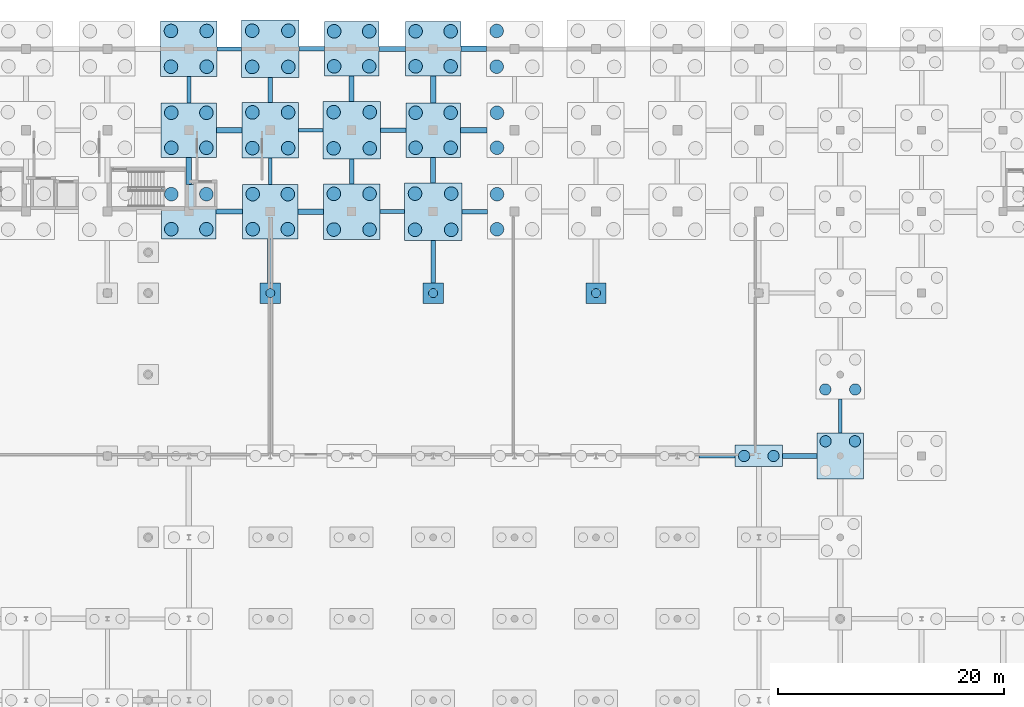
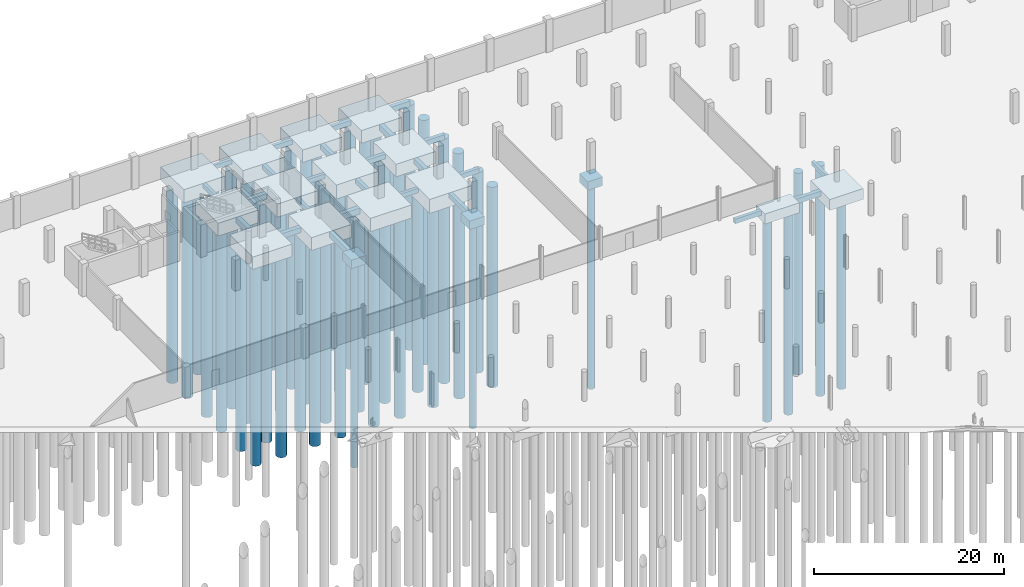
# One storey, part 10 of 56: 63 piles, 42 footings.
"""IFC4 building model written with IfcOpenShell, lengths in metres."""

from ifc_helpers import new_model, si_unit, direction, frame, origin, origin_2d, place, context, subcontext, project, spatial, rectangle, circle, extrude, material, material_profile, profile_set, type_object, element, save


model = new_model("IFC4")

# Units and contexts
model_context = context("Model", 3, precision=1e-05, world=origin(), true_north=direction((0.0, 1.0)))
body_context = subcontext(model_context, "Body", "Model", "MODEL_VIEW")
ifc_project = project(units=[si_unit("LENGTHUNIT", "METRE"), si_unit("AREAUNIT", "SQUARE_METRE"), si_unit("VOLUMEUNIT", "CUBIC_METRE"), si_unit("PLANEANGLEUNIT", "RADIAN"), si_unit("MASSUNIT", "GRAM", prefix="KILO")], contexts=[model_context])

# Site, building, storey
site_placement = place(None, origin())
site = spatial("IfcSite", under=ifc_project, at=site_placement, CompositionType="ELEMENT")
building_placement = place(site_placement, origin())
building = spatial("IfcBuilding", under=site, at=building_placement, Name="Suanplinth Sawtooth Commons", CompositionType="ELEMENT")
storey_placement = place(building_placement, frame((0.0, 0.0, -4.199951171875)))
storey = spatial("IfcBuildingStorey", under=building, at=storey_placement, Name="B1", CompositionType="ELEMENT", Elevation=-4.199951171875)

# Footings
ifc_material_1 = material(Name="Concrete C35/45", Category="concrete")
ifc_material_profile_1 = material_profile(ifc_material_1, rectangle(XDim=0.449951171875, YDim=0.64990234375, at=origin_2d()), Name="PC-GDR 450x650")
ifc_profile_set_1 = profile_set([ifc_material_profile_1], Name="Concrete C35/45")
footing_type_1 = type_object("IfcFootingType", Name="FB-01", PredefinedType="FOOTING_BEAM", material=ifc_profile_set_1)
footing_1_placement = place(storey_placement, frame((67.199951171875, 108.0, -0.824951171875), z_axis=(1.0, 0.0, 0.0), x_axis=(0.0, 1.0, 0.0)))
element("IfcFooting", 1, at=footing_1_placement, inside=storey, type_object=footing_type_1, Name="Foundation Tie Beam 10-11/R", PredefinedType="FOOTING_BEAM", context=body_context, shape_type="SweptSolid", body=[
    extrude(rectangle(XDim=0.449951171875, YDim=0.64990234375, at=origin_2d()), origin(), (0.0, 0.0, 1.0), 2.35009765625),
])
footing_2_placement = place(storey_placement, frame((79.199951171875, 117.75, -0.824951171875), z_axis=(0.0, 1.0, 0.0), x_axis=(-1.0, 0.0, 0.0)))
element("IfcFooting", 2, at=footing_2_placement, inside=storey, type_object=footing_type_1, Name="Foundation Tie Beam 12/S-T", PredefinedType="FOOTING_BEAM", context=body_context, shape_type="SweptSolid", body=[
    extrude(rectangle(XDim=0.449951171875, YDim=0.64990234375, at=origin_2d()), origin(), (0.0, 0.0, 1.0), 2.25),
])
footing_3_placement = place(storey_placement, frame((81.60009765625, 122.39990234375, -0.824951171875), z_axis=(1.0, 0.0, 0.0), x_axis=(0.0, 1.0, 0.0)))
element("IfcFooting", 3, at=footing_3_placement, inside=storey, type_object=footing_type_1, Name="Foundation Tie Beam 12-13/T", PredefinedType="FOOTING_BEAM", context=body_context, shape_type="SweptSolid", body=[
    extrude(rectangle(XDim=0.449951171875, YDim=0.64990234375, at=origin_2d()), origin(), (0.0, 0.0, 1.0), 2.349853515625),
])
footing_4_placement = place(storey_placement, frame((86.39990234375, 110.550048828125, -0.824951171875), z_axis=(0.0, 1.0, 0.0), x_axis=(-1.0, 0.0, 0.0)))
element("IfcFooting", 4, at=footing_4_placement, inside=storey, type_object=footing_type_1, Name="Foundation Tie Beam 13/R-S", PredefinedType="FOOTING_BEAM", context=body_context, shape_type="SweptSolid", body=[
    extrude(rectangle(XDim=0.449951171875, YDim=0.64990234375, at=origin_2d()), origin(), (0.0, 0.0, 1.0), 2.25),
])
footing_5_placement = place(storey_placement, frame((88.800048828125, 115.199951171875, -0.824951171875), z_axis=(1.0, 0.0, 0.0), x_axis=(0.0, 1.0, 0.0)))
element("IfcFooting", 5, at=footing_5_placement, inside=storey, type_object=footing_type_1, Name="Foundation Tie Beam 13-14/S", PredefinedType="FOOTING_BEAM", context=body_context, shape_type="SweptSolid", body=[
    extrude(rectangle(XDim=0.449951171875, YDim=0.64990234375, at=origin_2d()), origin(), (0.0, 0.0, 1.0), 2.349853515625),
])
footing_6_placement = place(storey_placement, frame((117.300048828125, 86.39990234375, -0.824951171875), z_axis=(1.0, 0.0, 0.0), x_axis=(0.0, 1.0, 0.0)))
element("IfcFooting", 6, at=footing_6_placement, inside=storey, type_object=footing_type_1, Name="Foundation Tie Beam 17-18/N", PredefinedType="FOOTING_BEAM", context=body_context, shape_type="SweptSolid", body=[
    extrude(rectangle(XDim=0.449951171875, YDim=0.64990234375, at=origin_2d()), origin(), (0.0, 0.0, 1.0), 3.050048828125),
])
ifc_material_profile_2 = material_profile(ifc_material_1, rectangle(XDim=0.5, YDim=0.75, at=origin_2d()), Name="RC-GDR 500x750")
ifc_profile_set_2 = profile_set([ifc_material_profile_2], Name="Concrete C35/45")
footing_type_2 = type_object("IfcFootingType", Name="FB-02", PredefinedType="FOOTING_BEAM", material=ifc_profile_set_2)
footing_7_placement = place(storey_placement, frame((64.800048828125, 110.39990234375, -0.875), z_axis=(0.0, 1.0, 0.0), x_axis=(-1.0, 0.0, 0.0)))
element("IfcFooting", 7, at=footing_7_placement, inside=storey, type_object=footing_type_2, Name="Foundation Tie Beam 10/R-S", PredefinedType="FOOTING_BEAM", context=body_context, shape_type="SweptSolid", body=[
    extrude(rectangle(XDim=0.5, YDim=0.75, at=origin_2d()), origin(), (0.0, 0.0, 1.0), 2.400146484375),
])
footing_8_placement = place(storey_placement, frame((67.25, 115.199951171875, -0.875), z_axis=(1.0, 0.0, 0.0), x_axis=(0.0, 1.0, 0.0)))
element("IfcFooting", 8, at=footing_8_placement, inside=storey, type_object=footing_type_2, Name="Foundation Tie Beam 10-11/S", PredefinedType="FOOTING_BEAM", context=body_context, shape_type="SweptSolid", body=[
    extrude(rectangle(XDim=0.5, YDim=0.75, at=origin_2d()), origin(), (0.0, 0.0, 1.0), 2.25),
])
footing_9_placement = place(storey_placement, frame((72.0, 101.699951171875, -0.875), z_axis=(0.0, 1.0, 0.0), x_axis=(-1.0, 0.0, 0.0)))
element("IfcFooting", 9, at=footing_9_placement, inside=storey, type_object=footing_type_2, Name="Foundation Tie Beam 11/Q-R", PredefinedType="FOOTING_BEAM", context=body_context, shape_type="SweptSolid", body=[
    extrude(rectangle(XDim=0.5, YDim=0.75, at=origin_2d()), origin(), (0.0, 0.0, 1.0), 3.900146484375),
])
footing_10_placement = place(storey_placement, frame((74.449951171875, 108.0, -0.875), z_axis=(1.0, 0.0, 0.0), x_axis=(0.0, 1.0, 0.0)))
element("IfcFooting", 10, at=footing_10_placement, inside=storey, type_object=footing_type_2, Name="Foundation Tie Beam 11-12/R", PredefinedType="FOOTING_BEAM", context=body_context, shape_type="SweptSolid", body=[
    extrude(rectangle(XDim=0.5, YDim=0.75, at=origin_2d()), origin(), (0.0, 0.0, 1.0), 2.25),
])
footing_11_placement = place(storey_placement, frame((86.39990234375, 117.60009765625, -0.875), z_axis=(0.0, 1.0, 0.0), x_axis=(-1.0, 0.0, 0.0)))
element("IfcFooting", 11, at=footing_11_placement, inside=storey, type_object=footing_type_2, Name="Foundation Tie Beam 13/S-T", PredefinedType="FOOTING_BEAM", context=body_context, shape_type="SweptSolid", body=[
    extrude(rectangle(XDim=0.5, YDim=0.75, at=origin_2d()), origin(), (0.0, 0.0, 1.0), 2.39990234375),
])
footing_12_placement = place(storey_placement, frame((88.85009765625, 122.39990234375, -0.875), z_axis=(1.0, 0.0, 0.0), x_axis=(0.0, 1.0, 0.0)))
element("IfcFooting", 12, at=footing_12_placement, inside=storey, type_object=footing_type_2, Name="Foundation Tie Beam 13-14/T", PredefinedType="FOOTING_BEAM", context=body_context, shape_type="SweptSolid", body=[
    extrude(rectangle(XDim=0.5, YDim=0.75, at=origin_2d()), origin(), (0.0, 0.0, 1.0), 2.25),
])
ifc_material_profile_3 = material_profile(ifc_material_1, rectangle(XDim=0.35009765625, YDim=0.550048828125, at=origin_2d()), Name="PC-BM 350x550")
ifc_profile_set_3 = profile_set([ifc_material_profile_3], Name="Concrete C35/45")
footing_type_3 = type_object("IfcFootingType", Name="FB-03", PredefinedType="FOOTING_BEAM", material=ifc_profile_set_3)
footing_13_placement = place(storey_placement, frame((64.800048828125, 117.60009765625, -0.775146484375), z_axis=(0.0, 1.0, 0.0), x_axis=(-1.0, 0.0, 0.0)))
element("IfcFooting", 13, at=footing_13_placement, inside=storey, type_object=footing_type_3, Name="Foundation Tie Beam 10/S-T", PredefinedType="FOOTING_BEAM", context=body_context, shape_type="SweptSolid", body=[
    extrude(rectangle(XDim=0.35009765625, YDim=0.550048828125, at=origin_2d()), origin(), (0.0, 0.0, 1.0), 2.349853515625),
])
footing_14_placement = place(storey_placement, frame((67.300048828125, 122.39990234375, -0.775146484375), z_axis=(1.0, 0.0, 0.0), x_axis=(0.0, 1.0, 0.0)))
element("IfcFooting", 14, at=footing_14_placement, inside=storey, type_object=footing_type_3, Name="Foundation Tie Beam 10-11/T", PredefinedType="FOOTING_BEAM", context=body_context, shape_type="SweptSolid", body=[
    extrude(rectangle(XDim=0.35009765625, YDim=0.550048828125, at=origin_2d()), origin(), (0.0, 0.0, 1.0), 2.14990234375),
])
footing_15_placement = place(storey_placement, frame((72.0, 110.39990234375, -0.775146484375), z_axis=(0.0, 1.0, 0.0), x_axis=(-1.0, 0.0, 0.0)))
element("IfcFooting", 15, at=footing_15_placement, inside=storey, type_object=footing_type_3, Name="Foundation Tie Beam 11/R-S", PredefinedType="FOOTING_BEAM", context=body_context, shape_type="SweptSolid", body=[
    extrude(rectangle(XDim=0.35009765625, YDim=0.550048828125, at=origin_2d()), origin(), (0.0, 0.0, 1.0), 2.35009765625),
])
footing_16_placement = place(storey_placement, frame((74.5, 115.199951171875, -0.775146484375), z_axis=(1.0, 0.0, 0.0), x_axis=(0.0, 1.0, 0.0)))
element("IfcFooting", 16, at=footing_16_placement, inside=storey, type_object=footing_type_3, Name="Foundation Tie Beam 11-12/S", PredefinedType="FOOTING_BEAM", context=body_context, shape_type="SweptSolid", body=[
    extrude(rectangle(XDim=0.35009765625, YDim=0.550048828125, at=origin_2d()), origin(), (0.0, 0.0, 1.0), 2.14990234375),
])
footing_17_placement = place(storey_placement, frame((81.699951171875, 108.0, -0.775146484375), z_axis=(1.0, 0.0, 0.0), x_axis=(0.0, 1.0, 0.0)))
element("IfcFooting", 17, at=footing_17_placement, inside=storey, type_object=footing_type_3, Name="Foundation Tie Beam 12-13/R", PredefinedType="FOOTING_BEAM", context=body_context, shape_type="SweptSolid", body=[
    extrude(rectangle(XDim=0.35009765625, YDim=0.550048828125, at=origin_2d()), origin(), (0.0, 0.0, 1.0), 2.150146484375),
])
footing_18_placement = place(storey_placement, frame((122.39990234375, 88.449951171875, -0.775146484375), z_axis=(0.0, 1.0, 0.0), x_axis=(-1.0, 0.0, 0.0)))
element("IfcFooting", 18, at=footing_18_placement, inside=storey, type_object=footing_type_3, Name="Foundation Tie Beam 18/N-P", PredefinedType="FOOTING_BEAM", context=body_context, shape_type="SweptSolid", body=[
    extrude(rectangle(XDim=0.35009765625, YDim=0.550048828125, at=origin_2d()), origin(), (0.0, 0.0, 1.0), 3.0),
])
ifc_material_profile_4 = material_profile(ifc_material_1, rectangle(XDim=0.39990234375, YDim=0.60009765625, at=origin_2d()), Name="PC-GDR 400x600")
ifc_profile_set_4 = profile_set([ifc_material_profile_4], Name="Concrete C35/45")
footing_type_4 = type_object("IfcFootingType", Name="FB-04", PredefinedType="FOOTING_BEAM", material=ifc_profile_set_4)
footing_19_placement = place(storey_placement, frame((72.0, 117.64990234375, -0.800048828125), z_axis=(0.0, 1.0, 0.0), x_axis=(-1.0, 0.0, 0.0)))
element("IfcFooting", 19, at=footing_19_placement, inside=storey, type_object=footing_type_4, Name="Foundation Tie Beam 11/S-T", PredefinedType="FOOTING_BEAM", context=body_context, shape_type="SweptSolid", body=[
    extrude(rectangle(XDim=0.39990234375, YDim=0.60009765625, at=origin_2d()), origin(), (0.0, 0.0, 1.0), 2.2001953125),
])
footing_20_placement = place(storey_placement, frame((74.550048828125, 122.39990234375, -0.800048828125), z_axis=(1.0, 0.0, 0.0), x_axis=(0.0, 1.0, 0.0)))
element("IfcFooting", 20, at=footing_20_placement, inside=storey, type_object=footing_type_4, Name="Foundation Tie Beam 11-12/T", PredefinedType="FOOTING_BEAM", context=body_context, shape_type="SweptSolid", body=[
    extrude(rectangle(XDim=0.39990234375, YDim=0.60009765625, at=origin_2d()), origin(), (0.0, 0.0, 1.0), 2.25),
])
footing_21_placement = place(storey_placement, frame((79.199951171875, 110.449951171875, -0.800048828125), z_axis=(0.0, 1.0, 0.0), x_axis=(-1.0, 0.0, 0.0)))
element("IfcFooting", 21, at=footing_21_placement, inside=storey, type_object=footing_type_4, Name="Foundation Tie Beam 12/R-S", PredefinedType="FOOTING_BEAM", context=body_context, shape_type="SweptSolid", body=[
    extrude(rectangle(XDim=0.39990234375, YDim=0.60009765625, at=origin_2d()), origin(), (0.0, 0.0, 1.0), 2.199951171875),
])
footing_22_placement = place(storey_placement, frame((81.75, 115.199951171875, -0.800048828125), z_axis=(1.0, 0.0, 0.0), x_axis=(0.0, 1.0, 0.0)))
element("IfcFooting", 22, at=footing_22_placement, inside=storey, type_object=footing_type_4, Name="Foundation Tie Beam 12-13/S", PredefinedType="FOOTING_BEAM", context=body_context, shape_type="SweptSolid", body=[
    extrude(rectangle(XDim=0.39990234375, YDim=0.60009765625, at=origin_2d()), origin(), (0.0, 0.0, 1.0), 2.25),
])
footing_23_placement = place(storey_placement, frame((86.39990234375, 101.699951171875, -0.800048828125), z_axis=(0.0, 1.0, 0.0), x_axis=(-1.0, 0.0, 0.0)))
element("IfcFooting", 23, at=footing_23_placement, inside=storey, type_object=footing_type_4, Name="Foundation Tie Beam 13/Q-R", PredefinedType="FOOTING_BEAM", context=body_context, shape_type="SweptSolid", body=[
    extrude(rectangle(XDim=0.39990234375, YDim=0.60009765625, at=origin_2d()), origin(), (0.0, 0.0, 1.0), 3.75),
])
footing_24_placement = place(storey_placement, frame((88.949951171875, 108.0, -0.800048828125), z_axis=(1.0, 0.0, 0.0), x_axis=(0.0, 1.0, 0.0)))
element("IfcFooting", 24, at=footing_24_placement, inside=storey, type_object=footing_type_4, Name="Foundation Tie Beam 13-14/R", PredefinedType="FOOTING_BEAM", context=body_context, shape_type="SweptSolid", body=[
    extrude(rectangle(XDim=0.39990234375, YDim=0.60009765625, at=origin_2d()), origin(), (0.0, 0.0, 1.0), 2.25),
])
footing_25_placement = place(storey_placement, frame((109.89990234375, 86.39990234375, -0.800048828125), z_axis=(1.0, 0.0, 0.0), x_axis=(0.0, 1.0, 0.0)))
element("IfcFooting", 25, at=footing_25_placement, inside=storey, type_object=footing_type_4, Name="Foundation Tie Beam 16-17/N", PredefinedType="FOOTING_BEAM", context=body_context, shape_type="SweptSolid", body=[
    extrude(rectangle(XDim=0.39990234375, YDim=0.60009765625, at=origin_2d()), origin(), (0.0, 0.0, 1.0), 3.2001953125),
])
footing_type_5 = type_object("IfcFootingType", Name="FC-01", PredefinedType="PILE_CAP", material=ifc_material_1)
for number, where, z_axis, x_axis, name in (
    (26, (72.0, 100.800048828125, -1.60009765625), (0.0, 0.0, 1.0), (1.0, 0.0, 0.0), "Pile Cap 11/Q"),
    (27, (86.39990234375, 100.800048828125, -1.60009765625), (0.0, 0.0, 1.0), (1.0, 0.0, 0.0), "Pile Cap 13/Q"),
    (28, (100.800048828125, 100.800048828125, -1.60009765625), (0.0, 0.0, 1.0), (1.0, 0.0, 0.0), "Pile Cap 15/Q"),
):
    element("IfcFooting", number, at=place(storey_placement, frame(where, z_axis=z_axis, x_axis=x_axis)), inside=storey, type_object=footing_type_5, Name=name, PredefinedType="PILE_CAP", context=body_context, shape_type="SweptSolid", body=[
        extrude(rectangle(XDim=1.800048828125, YDim=1.800048828125, at=origin_2d()), origin(), (0.0, 0.0, 1.0), 1.10009765625),
    ])
footing_type_6 = type_object("IfcFootingType", Name="FC-04", PredefinedType="PILE_CAP", material=ifc_material_1)
footing_26_placement = place(storey_placement, frame((115.199951171875, 86.39990234375, -1.80029296875), z_axis=(0.0, 0.0, 1.0), x_axis=(1.0, 0.0, 0.0)))
element("IfcFooting", 29, at=footing_26_placement, inside=storey, type_object=footing_type_6, Name="Pile Cap 17/N", PredefinedType="PILE_CAP", context=body_context, shape_type="SweptSolid", body=[
    extrude(rectangle(XDim=4.199951171875, YDim=1.89990234375, at=origin_2d()), origin(), (0.0, 0.0, 1.0), 1.300048828125),
])
footing_type_7 = type_object("IfcFootingType", Name="FC-07", PredefinedType="PILE_CAP", material=ifc_material_1)
footing_27_placement = place(storey_placement, frame((122.39990234375, 86.39990234375, -1.89990234375), z_axis=(0.0, 0.0, 1.0), x_axis=(1.0, 0.0, 0.0)))
element("IfcFooting", 30, at=footing_27_placement, inside=storey, type_object=footing_type_7, Name="Pile Cap 18/N", PredefinedType="PILE_CAP", context=body_context, shape_type="SweptSolid", body=[
    extrude(rectangle(XDim=4.10009765625, YDim=4.10009765625, at=origin_2d()), origin(), (0.0, 0.0, 1.0), 1.39990234375),
])
footing_type_8 = type_object("IfcFootingType", Name="FC-11", PredefinedType="PILE_CAP", material=ifc_material_1)
for number, where, z_axis, x_axis, name in (
    (31, (64.800048828125, 108.0, -2.10009765625), (0.0, 0.0, 1.0), (1.0, 0.0, 0.0), "Pile Cap 10/R"),
    (32, (79.199951171875, 122.39990234375, -2.10009765625), (0.0, 0.0, 1.0), (1.0, 0.0, 0.0), "Pile Cap 12/T"),
    (33, (86.39990234375, 115.199951171875, -2.10009765625), (0.0, 0.0, 1.0), (1.0, 0.0, 0.0), "Pile Cap 13/S"),
):
    element("IfcFooting", number, at=place(storey_placement, frame(where, z_axis=z_axis, x_axis=x_axis)), inside=storey, type_object=footing_type_8, Name=name, PredefinedType="PILE_CAP", context=body_context, shape_type="SweptSolid", body=[
        extrude(rectangle(XDim=4.800048828125, YDim=4.800048828125, at=origin_2d()), origin(), (0.0, 0.0, 1.0), 1.60009765625),
    ])
footing_type_9 = type_object("IfcFootingType", Name="FC-12", PredefinedType="PILE_CAP", material=ifc_material_1)
for number, where, z_axis, x_axis, name in (
    (34, (64.800048828125, 115.199951171875, -2.14990234375), (0.0, 0.0, 1.0), (1.0, 0.0, 0.0), "Pile Cap 10/S"),
    (35, (72.0, 108.0, -2.14990234375), (0.0, 0.0, 1.0), (1.0, 0.0, 0.0), "Pile Cap 11/R"),
    (36, (86.39990234375, 122.39990234375, -2.14990234375), (0.0, 0.0, 1.0), (1.0, 0.0, 0.0), "Pile Cap 13/T"),
):
    element("IfcFooting", number, at=place(storey_placement, frame(where, z_axis=z_axis, x_axis=x_axis)), inside=storey, type_object=footing_type_9, Name=name, PredefinedType="PILE_CAP", context=body_context, shape_type="SweptSolid", body=[
        extrude(rectangle(XDim=4.89990234375, YDim=4.800048828125, at=origin_2d()), origin(), (0.0, 0.0, 1.0), 1.64990234375),
    ])
footing_type_10 = type_object("IfcFootingType", Name="FC-13", PredefinedType="PILE_CAP", material=ifc_material_1)
for number, where, z_axis, x_axis, name in (
    (37, (64.800048828125, 122.39990234375, -2.2001953125), (0.0, 0.0, 1.0), (1.0, 0.0, 0.0), "Pile Cap 10/T"),
    (38, (72.0, 115.199951171875, -2.2001953125), (0.0, 0.0, 1.0), (1.0, 0.0, 0.0), "Pile Cap 11/S"),
    (39, (79.199951171875, 108.0, -2.2001953125), (0.0, 0.0, 1.0), (1.0, 0.0, 0.0), "Pile Cap 12/R"),
):
    element("IfcFooting", number, at=place(storey_placement, frame(where, z_axis=z_axis, x_axis=x_axis)), inside=storey, type_object=footing_type_10, Name=name, PredefinedType="PILE_CAP", context=body_context, shape_type="SweptSolid", body=[
        extrude(rectangle(XDim=5.0, YDim=4.89990234375, at=origin_2d()), origin(), (0.0, 0.0, 1.0), 1.699951171875),
    ])
footing_type_11 = type_object("IfcFootingType", Name="FC-14", PredefinedType="PILE_CAP", material=ifc_material_1)
for number, where, z_axis, x_axis, name in (
    (40, (72.0, 122.39990234375, -2.30029296875), (0.0, 0.0, 1.0), (1.0, 0.0, 0.0), "Pile Cap 11/T"),
    (41, (79.199951171875, 115.199951171875, -2.30029296875), (0.0, 0.0, 1.0), (1.0, 0.0, 0.0), "Pile Cap 12/S"),
    (42, (86.39990234375, 108.0, -2.30029296875), (0.0, 0.0, 1.0), (1.0, 0.0, 0.0), "Pile Cap 13/R"),
):
    element("IfcFooting", number, at=place(storey_placement, frame(where, z_axis=z_axis, x_axis=x_axis)), inside=storey, type_object=footing_type_11, Name=name, PredefinedType="PILE_CAP", context=body_context, shape_type="SweptSolid", body=[
        extrude(rectangle(XDim=5.10009765625, YDim=5.10009765625, at=origin_2d()), origin(), (0.0, 0.0, 1.0), 1.800048828125),
    ])

# Piles
ifc_material_2 = material(Name="Concrete C32/40", Category="concrete")
ifc_material_profile_5 = material_profile(ifc_material_2, circle(Radius=0.39990234375, at=origin_2d()), Name="PILE D800")
ifc_profile_set_5 = profile_set([ifc_material_profile_5], Name="Concrete C32/40")
pile_type_1 = type_object("IfcPileType", Name="P-01", PredefinedType="BORED", material=ifc_profile_set_5)
for number, where, z_axis, x_axis, name in (
    (43, (72.0, 100.800048828125, -1.5), (0.0, 0.0, -1.0), (1.0, 0.0, 0.0), "Bored Pile 11/Q-1"),
    (44, (86.39990234375, 100.800048828125, -1.5), (0.0, 0.0, -1.0), (1.0, 0.0, 0.0), "Bored Pile 13/Q-1"),
    (45, (100.800048828125, 100.800048828125, -1.5), (0.0, 0.0, -1.0), (1.0, 0.0, 0.0), "Bored Pile 15/Q-1"),
):
    element("IfcPile", number, at=place(storey_placement, frame(where, z_axis=z_axis, x_axis=x_axis)), inside=storey, type_object=pile_type_1, Name=name, PredefinedType="BORED", context=body_context, shape_type="SweptSolid", body=[
        extrude(circle(Radius=0.39990234375, at=origin_2d()), origin(), (0.0, 0.0, 1.0), 26.300048828125),
    ])
ifc_material_profile_6 = material_profile(ifc_material_2, circle(Radius=0.5, at=origin_2d()), Name="PILE D1000")
ifc_profile_set_6 = profile_set([ifc_material_profile_6], Name="Concrete C32/40")
pile_type_2 = type_object("IfcPileType", Name="P-02", PredefinedType="BORED", material=ifc_profile_set_6)
for number, where, z_axis, x_axis, name in (
    (46, (113.89990234375, 86.39990234375, -1.699951171875), (0.0, 0.0, -1.0), (1.0, 0.0, 0.0), "Bored Pile 17/N-1"),
    (47, (116.5, 86.39990234375, -1.699951171875), (0.0, 0.0, -1.0), (1.0, 0.0, 0.0), "Bored Pile 17/N-2"),
):
    element("IfcPile", number, at=place(storey_placement, frame(where, z_axis=z_axis, x_axis=x_axis)), inside=storey, type_object=pile_type_2, Name=name, PredefinedType="BORED", context=body_context, shape_type="SweptSolid", body=[
        extrude(circle(Radius=0.5, at=origin_2d()), origin(), (0.0, 0.0, 1.0), 26.10009765625),
    ])
for number, where, z_axis, x_axis, name in (
    (48, (121.10009765625, 87.699951171875, -1.800048828125), (0.0, 0.0, -1.0), (1.0, 0.0, 0.0), "Bored Pile 18/N-3"),
    (49, (123.699951171875, 87.699951171875, -1.800048828125), (0.0, 0.0, -1.0), (1.0, 0.0, 0.0), "Bored Pile 18/N-4"),
):
    element("IfcPile", number, at=place(storey_placement, frame(where, z_axis=z_axis, x_axis=x_axis)), inside=storey, type_object=pile_type_2, Name=name, PredefinedType="BORED", context=body_context, shape_type="SweptSolid", body=[
        extrude(circle(Radius=0.5, at=origin_2d()), origin(), (0.0, 0.0, 1.0), 26.0),
    ])
for number, where, z_axis, x_axis, name in (
    (50, (121.080078125, 92.280029296875, -1.85009765625), (0.0, 0.0, -1.0), (1.0, 0.0, 0.0), "Bored Pile 18/P-1"),
    (51, (123.719970703125, 92.280029296875, -1.85009765625), (0.0, 0.0, -1.0), (1.0, 0.0, 0.0), "Bored Pile 18/P-2"),
):
    element("IfcPile", number, at=place(storey_placement, frame(where, z_axis=z_axis, x_axis=x_axis)), inside=storey, type_object=pile_type_2, Name=name, PredefinedType="BORED", context=body_context, shape_type="SweptSolid", body=[
        extrude(circle(Radius=0.5, at=origin_2d()), origin(), (0.0, 0.0, 1.0), 25.949951171875),
    ])
ifc_material_profile_7 = material_profile(ifc_material_2, circle(Radius=0.60009765625, at=origin_2d()), Name="PILE D1200")
ifc_profile_set_7 = profile_set([ifc_material_profile_7], Name="Concrete C32/40")
pile_type_3 = type_object("IfcPileType", Name="P-03", PredefinedType="BORED", material=ifc_profile_set_7)
for number, where, z_axis, x_axis, name in (
    (52, (63.25, 106.449951171875, -2.0), (0.0, 0.0, -1.0), (1.0, 0.0, 0.0), "Bored Pile 10/R-1"),
    (53, (66.35009765625, 106.449951171875, -2.0), (0.0, 0.0, -1.0), (1.0, 0.0, 0.0), "Bored Pile 10/R-2"),
    (54, (63.25, 109.550048828125, -2.0), (0.0, 0.0, -1.0), (1.0, 0.0, 0.0), "Bored Pile 10/R-3"),
    (55, (66.35009765625, 109.550048828125, -2.0), (0.0, 0.0, -1.0), (1.0, 0.0, 0.0), "Bored Pile 10/R-4"),
):
    element("IfcPile", number, at=place(storey_placement, frame(where, z_axis=z_axis, x_axis=x_axis)), inside=storey, type_object=pile_type_3, Name=name, PredefinedType="BORED", context=body_context, shape_type="SweptSolid", body=[
        extrude(circle(Radius=0.60009765625, at=origin_2d()), origin(), (0.0, 0.0, 1.0), 25.800048828125),
    ])
for number, where, z_axis, x_axis, name in (
    (56, (63.25, 113.64990234375, -2.050048828125), (0.0, 0.0, -1.0), (1.0, 0.0, 0.0), "Bored Pile 10/S-1"),
    (57, (66.35009765625, 113.64990234375, -2.050048828125), (0.0, 0.0, -1.0), (1.0, 0.0, 0.0), "Bored Pile 10/S-2"),
    (58, (63.25, 116.75, -2.050048828125), (0.0, 0.0, -1.0), (1.0, 0.0, 0.0), "Bored Pile 10/S-3"),
    (59, (66.35009765625, 116.75, -2.050048828125), (0.0, 0.0, -1.0), (1.0, 0.0, 0.0), "Bored Pile 10/S-4"),
):
    element("IfcPile", number, at=place(storey_placement, frame(where, z_axis=z_axis, x_axis=x_axis)), inside=storey, type_object=pile_type_3, Name=name, PredefinedType="BORED", context=body_context, shape_type="SweptSolid", body=[
        extrude(circle(Radius=0.60009765625, at=origin_2d()), origin(), (0.0, 0.0, 1.0), 25.75),
    ])
for number, where, z_axis, x_axis, name in (
    (60, (63.219970703125, 120.820068359375, -2.10009765625), (0.0, 0.0, -1.0), (1.0, 0.0, 0.0), "Bored Pile 10/T-1"),
    (61, (66.3798828125, 120.820068359375, -2.10009765625), (0.0, 0.0, -1.0), (1.0, 0.0, 0.0), "Bored Pile 10/T-2"),
    (62, (63.219970703125, 123.97998046875, -2.10009765625), (0.0, 0.0, -1.0), (1.0, 0.0, 0.0), "Bored Pile 10/T-3"),
    (63, (66.3798828125, 123.97998046875, -2.10009765625), (0.0, 0.0, -1.0), (1.0, 0.0, 0.0), "Bored Pile 10/T-4"),
):
    element("IfcPile", number, at=place(storey_placement, frame(where, z_axis=z_axis, x_axis=x_axis)), inside=storey, type_object=pile_type_3, Name=name, PredefinedType="BORED", context=body_context, shape_type="SweptSolid", body=[
        extrude(circle(Radius=0.60009765625, at=origin_2d()), origin(), (0.0, 0.0, 1.0), 25.699951171875),
    ])
for number, where, z_axis, x_axis, name in (
    (64, (70.449951171875, 106.449951171875, -2.050048828125), (0.0, 0.0, -1.0), (1.0, 0.0, 0.0), "Bored Pile 11/R-1"),
    (65, (73.550048828125, 106.449951171875, -2.050048828125), (0.0, 0.0, -1.0), (1.0, 0.0, 0.0), "Bored Pile 11/R-2"),
    (66, (70.449951171875, 109.550048828125, -2.050048828125), (0.0, 0.0, -1.0), (1.0, 0.0, 0.0), "Bored Pile 11/R-3"),
    (67, (73.550048828125, 109.550048828125, -2.050048828125), (0.0, 0.0, -1.0), (1.0, 0.0, 0.0), "Bored Pile 11/R-4"),
):
    element("IfcPile", number, at=place(storey_placement, frame(where, z_axis=z_axis, x_axis=x_axis)), inside=storey, type_object=pile_type_3, Name=name, PredefinedType="BORED", context=body_context, shape_type="SweptSolid", body=[
        extrude(circle(Radius=0.60009765625, at=origin_2d()), origin(), (0.0, 0.0, 1.0), 25.75),
    ])
for number, where, z_axis, x_axis, name in (
    (68, (70.419921875, 113.6201171875, -2.10009765625), (0.0, 0.0, -1.0), (1.0, 0.0, 0.0), "Bored Pile 11/S-1"),
    (69, (73.580078125, 113.6201171875, -2.10009765625), (0.0, 0.0, -1.0), (1.0, 0.0, 0.0), "Bored Pile 11/S-2"),
    (70, (70.419921875, 116.780029296875, -2.10009765625), (0.0, 0.0, -1.0), (1.0, 0.0, 0.0), "Bored Pile 11/S-3"),
    (71, (73.580078125, 116.780029296875, -2.10009765625), (0.0, 0.0, -1.0), (1.0, 0.0, 0.0), "Bored Pile 11/S-4"),
):
    element("IfcPile", number, at=place(storey_placement, frame(where, z_axis=z_axis, x_axis=x_axis)), inside=storey, type_object=pile_type_3, Name=name, PredefinedType="BORED", context=body_context, shape_type="SweptSolid", body=[
        extrude(circle(Radius=0.60009765625, at=origin_2d()), origin(), (0.0, 0.0, 1.0), 25.699951171875),
    ])
for number, where, z_axis, x_axis, name in (
    (72, (70.39990234375, 120.800048828125, -2.199951171875), (0.0, 0.0, -1.0), (1.0, 0.0, 0.0), "Bored Pile 11/T-1"),
    (73, (73.60009765625, 120.800048828125, -2.199951171875), (0.0, 0.0, -1.0), (1.0, 0.0, 0.0), "Bored Pile 11/T-2"),
    (74, (70.39990234375, 124.0, -2.199951171875), (0.0, 0.0, -1.0), (1.0, 0.0, 0.0), "Bored Pile 11/T-3"),
    (75, (73.60009765625, 124.0, -2.199951171875), (0.0, 0.0, -1.0), (1.0, 0.0, 0.0), "Bored Pile 11/T-4"),
):
    element("IfcPile", number, at=place(storey_placement, frame(where, z_axis=z_axis, x_axis=x_axis)), inside=storey, type_object=pile_type_3, Name=name, PredefinedType="BORED", context=body_context, shape_type="SweptSolid", body=[
        extrude(circle(Radius=0.60009765625, at=origin_2d()), origin(), (0.0, 0.0, 1.0), 25.60009765625),
    ])
for number, where, z_axis, x_axis, name in (
    (76, (77.6201171875, 106.419921875, -2.10009765625), (0.0, 0.0, -1.0), (1.0, 0.0, 0.0), "Bored Pile 12/R-1"),
    (77, (80.780029296875, 106.419921875, -2.10009765625), (0.0, 0.0, -1.0), (1.0, 0.0, 0.0), "Bored Pile 12/R-2"),
    (78, (77.6201171875, 109.580078125, -2.10009765625), (0.0, 0.0, -1.0), (1.0, 0.0, 0.0), "Bored Pile 12/R-3"),
    (79, (80.780029296875, 109.580078125, -2.10009765625), (0.0, 0.0, -1.0), (1.0, 0.0, 0.0), "Bored Pile 12/R-4"),
):
    element("IfcPile", number, at=place(storey_placement, frame(where, z_axis=z_axis, x_axis=x_axis)), inside=storey, type_object=pile_type_3, Name=name, PredefinedType="BORED", context=body_context, shape_type="SweptSolid", body=[
        extrude(circle(Radius=0.60009765625, at=origin_2d()), origin(), (0.0, 0.0, 1.0), 25.699951171875),
    ])
for number, where, z_axis, x_axis, name in (
    (80, (77.60009765625, 113.60009765625, -2.199951171875), (0.0, 0.0, -1.0), (1.0, 0.0, 0.0), "Bored Pile 12/S-1"),
    (81, (80.800048828125, 113.60009765625, -2.199951171875), (0.0, 0.0, -1.0), (1.0, 0.0, 0.0), "Bored Pile 12/S-2"),
    (82, (77.60009765625, 116.800048828125, -2.199951171875), (0.0, 0.0, -1.0), (1.0, 0.0, 0.0), "Bored Pile 12/S-3"),
    (83, (80.800048828125, 116.800048828125, -2.199951171875), (0.0, 0.0, -1.0), (1.0, 0.0, 0.0), "Bored Pile 12/S-4"),
):
    element("IfcPile", number, at=place(storey_placement, frame(where, z_axis=z_axis, x_axis=x_axis)), inside=storey, type_object=pile_type_3, Name=name, PredefinedType="BORED", context=body_context, shape_type="SweptSolid", body=[
        extrude(circle(Radius=0.60009765625, at=origin_2d()), origin(), (0.0, 0.0, 1.0), 25.60009765625),
    ])
for number, where, z_axis, x_axis, name in (
    (84, (77.64990234375, 120.85009765625, -2.0), (0.0, 0.0, -1.0), (1.0, 0.0, 0.0), "Bored Pile 12/T-1"),
    (85, (80.75, 120.85009765625, -2.0), (0.0, 0.0, -1.0), (1.0, 0.0, 0.0), "Bored Pile 12/T-2"),
    (86, (77.64990234375, 123.949951171875, -2.0), (0.0, 0.0, -1.0), (1.0, 0.0, 0.0), "Bored Pile 12/T-3"),
    (87, (80.75, 123.949951171875, -2.0), (0.0, 0.0, -1.0), (1.0, 0.0, 0.0), "Bored Pile 12/T-4"),
):
    element("IfcPile", number, at=place(storey_placement, frame(where, z_axis=z_axis, x_axis=x_axis)), inside=storey, type_object=pile_type_3, Name=name, PredefinedType="BORED", context=body_context, shape_type="SweptSolid", body=[
        extrude(circle(Radius=0.60009765625, at=origin_2d()), origin(), (0.0, 0.0, 1.0), 25.800048828125),
    ])
for number, where, z_axis, x_axis, name in (
    (88, (84.800048828125, 106.39990234375, -2.199951171875), (0.0, 0.0, -1.0), (1.0, 0.0, 0.0), "Bored Pile 13/R-1"),
    (89, (88.0, 106.39990234375, -2.199951171875), (0.0, 0.0, -1.0), (1.0, 0.0, 0.0), "Bored Pile 13/R-2"),
    (90, (84.800048828125, 109.60009765625, -2.199951171875), (0.0, 0.0, -1.0), (1.0, 0.0, 0.0), "Bored Pile 13/R-3"),
    (91, (88.0, 109.60009765625, -2.199951171875), (0.0, 0.0, -1.0), (1.0, 0.0, 0.0), "Bored Pile 13/R-4"),
):
    element("IfcPile", number, at=place(storey_placement, frame(where, z_axis=z_axis, x_axis=x_axis)), inside=storey, type_object=pile_type_3, Name=name, PredefinedType="BORED", context=body_context, shape_type="SweptSolid", body=[
        extrude(circle(Radius=0.60009765625, at=origin_2d()), origin(), (0.0, 0.0, 1.0), 25.60009765625),
    ])
for number, where, z_axis, x_axis, name in (
    (92, (84.85009765625, 113.64990234375, -2.0), (0.0, 0.0, -1.0), (1.0, 0.0, 0.0), "Bored Pile 13/S-1"),
    (93, (87.949951171875, 113.64990234375, -2.0), (0.0, 0.0, -1.0), (1.0, 0.0, 0.0), "Bored Pile 13/S-2"),
    (94, (84.85009765625, 116.75, -2.0), (0.0, 0.0, -1.0), (1.0, 0.0, 0.0), "Bored Pile 13/S-3"),
    (95, (87.949951171875, 116.75, -2.0), (0.0, 0.0, -1.0), (1.0, 0.0, 0.0), "Bored Pile 13/S-4"),
):
    element("IfcPile", number, at=place(storey_placement, frame(where, z_axis=z_axis, x_axis=x_axis)), inside=storey, type_object=pile_type_3, Name=name, PredefinedType="BORED", context=body_context, shape_type="SweptSolid", body=[
        extrude(circle(Radius=0.60009765625, at=origin_2d()), origin(), (0.0, 0.0, 1.0), 25.800048828125),
    ])
for number, where, z_axis, x_axis, name in (
    (96, (84.85009765625, 120.85009765625, -2.050048828125), (0.0, 0.0, -1.0), (1.0, 0.0, 0.0), "Bored Pile 13/T-1"),
    (97, (87.949951171875, 120.85009765625, -2.050048828125), (0.0, 0.0, -1.0), (1.0, 0.0, 0.0), "Bored Pile 13/T-2"),
    (98, (84.85009765625, 123.949951171875, -2.050048828125), (0.0, 0.0, -1.0), (1.0, 0.0, 0.0), "Bored Pile 13/T-3"),
    (99, (87.949951171875, 123.949951171875, -2.050048828125), (0.0, 0.0, -1.0), (1.0, 0.0, 0.0), "Bored Pile 13/T-4"),
):
    element("IfcPile", number, at=place(storey_placement, frame(where, z_axis=z_axis, x_axis=x_axis)), inside=storey, type_object=pile_type_3, Name=name, PredefinedType="BORED", context=body_context, shape_type="SweptSolid", body=[
        extrude(circle(Radius=0.60009765625, at=origin_2d()), origin(), (0.0, 0.0, 1.0), 25.75),
    ])
for number, where, z_axis, x_axis, name in (
    (100, (92.050048828125, 106.449951171875, -2.0), (0.0, 0.0, -1.0), (1.0, 0.0, 0.0), "Bored Pile 14/R-1"),
    (101, (92.050048828125, 109.550048828125, -2.0), (0.0, 0.0, -1.0), (1.0, 0.0, 0.0), "Bored Pile 14/R-3"),
):
    element("IfcPile", number, at=place(storey_placement, frame(where, z_axis=z_axis, x_axis=x_axis)), inside=storey, type_object=pile_type_3, Name=name, PredefinedType="BORED", context=body_context, shape_type="SweptSolid", body=[
        extrude(circle(Radius=0.60009765625, at=origin_2d()), origin(), (0.0, 0.0, 1.0), 25.800048828125),
    ])
for number, where, z_axis, x_axis, name in (
    (102, (92.050048828125, 113.64990234375, -2.050048828125), (0.0, 0.0, -1.0), (1.0, 0.0, 0.0), "Bored Pile 14/S-1"),
    (103, (92.050048828125, 116.75, -2.050048828125), (0.0, 0.0, -1.0), (1.0, 0.0, 0.0), "Bored Pile 14/S-3"),
):
    element("IfcPile", number, at=place(storey_placement, frame(where, z_axis=z_axis, x_axis=x_axis)), inside=storey, type_object=pile_type_3, Name=name, PredefinedType="BORED", context=body_context, shape_type="SweptSolid", body=[
        extrude(circle(Radius=0.60009765625, at=origin_2d()), origin(), (0.0, 0.0, 1.0), 25.75),
    ])
for number, where, z_axis, x_axis, name in (
    (104, (92.02001953125, 120.820068359375, -2.10009765625), (0.0, 0.0, -1.0), (1.0, 0.0, 0.0), "Bored Pile 14/T-1"),
    (105, (92.02001953125, 123.97998046875, -2.10009765625), (0.0, 0.0, -1.0), (1.0, 0.0, 0.0), "Bored Pile 14/T-3"),
):
    element("IfcPile", number, at=place(storey_placement, frame(where, z_axis=z_axis, x_axis=x_axis)), inside=storey, type_object=pile_type_3, Name=name, PredefinedType="BORED", context=body_context, shape_type="SweptSolid", body=[
        extrude(circle(Radius=0.60009765625, at=origin_2d()), origin(), (0.0, 0.0, 1.0), 25.699951171875),
    ])

save(model, "model.ifc")
